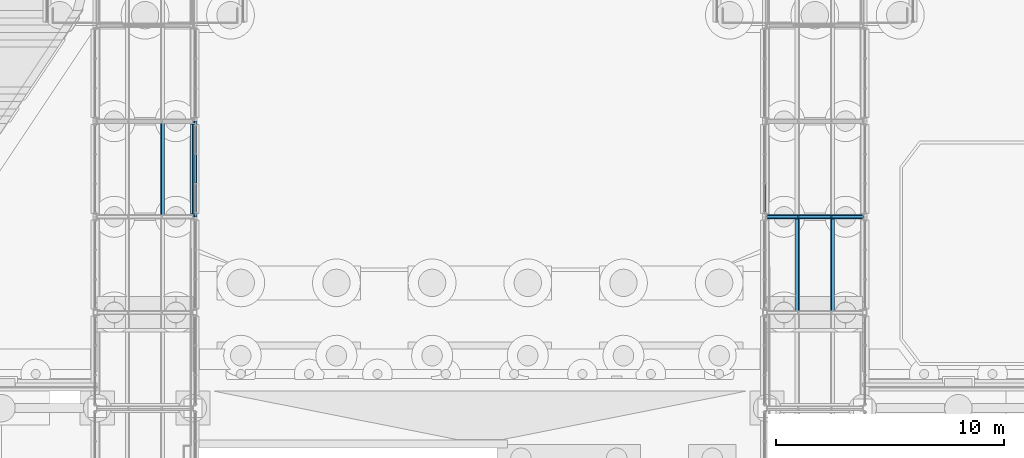
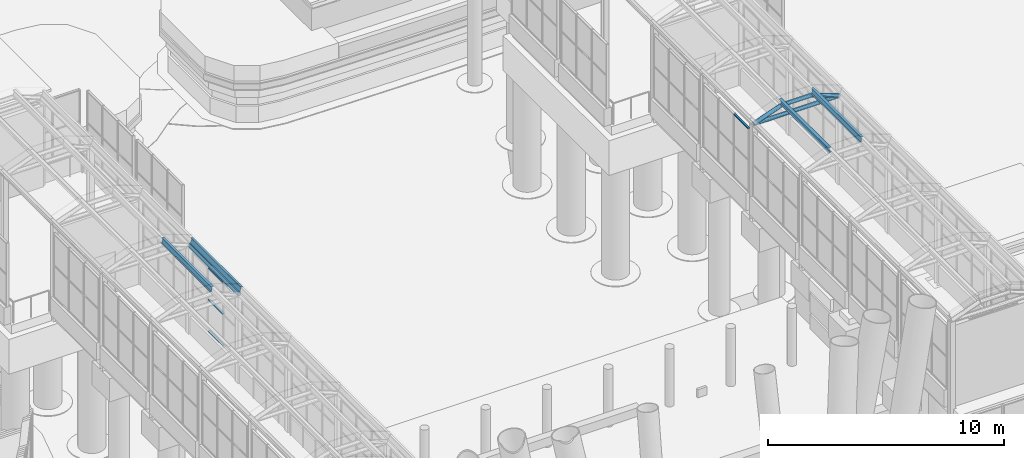
# One storey, part 67 of 222: 9 members, 4 beams, 2 elements without a shape of their own.
"""IFC4 building model written with IfcOpenShell, lengths in metres."""

from ifc_helpers import new_model, si_unit, direction, frame, origin, origin_2d, place, context, subcontext, project, spatial, rectangle, hollow_circle, i_section, extrude, material, material_profile, profile_set, type_object, element, aggregate, save


model = new_model("IFC4")

# Units and contexts
model_context = context("Model", 3, precision=1e-05, world=origin(), true_north=direction((0.0, 1.0)))
body_context = subcontext(model_context, "Body", "Model", "MODEL_VIEW")
ifc_project = project(units=[si_unit("LENGTHUNIT", "METRE"), si_unit("AREAUNIT", "SQUARE_METRE"), si_unit("VOLUMEUNIT", "CUBIC_METRE"), si_unit("PLANEANGLEUNIT", "RADIAN"), si_unit("MASSUNIT", "GRAM", prefix="KILO")], contexts=[model_context])

# Site, building, storey
site_placement = place(None, origin())
site = spatial("IfcSite", under=ifc_project, at=site_placement, CompositionType="ELEMENT")
building_placement = place(site_placement, origin())
building = spatial("IfcBuilding", under=site, at=building_placement, Name="Sava Quay Ferry Terminal", CompositionType="ELEMENT")
storey_placement = place(building_placement, origin())
storey = spatial("IfcBuildingStorey", under=building, at=storey_placement, Name="L00", CompositionType="ELEMENT", Elevation=0.0)

# Beam
ifc_material_1 = material(Name="Steel S355", Category="steel")
ifc_material_profile_1 = material_profile(ifc_material_1, hollow_circle(Radius=0.096923828125, WallThickness=0.008056640625, at=origin_2d()), Name="CHS 193.7 x 8.0")
ifc_profile_set_1 = profile_set([ifc_material_profile_1], Name="Steel S355")
beam_type_1 = type_object("IfcBeamType", Name="Gallery eave beam CHS 193.7x8", PredefinedType="BEAM", material=ifc_profile_set_1)
beam_1_placement = place(storey_placement, frame((50.39990234375, 126.0, 4.5), z_axis=(0.0, 1.0, 0.0), x_axis=(-1.0, 0.0, 0.0)))
element("IfcBeam", 1, at=beam_1_placement, inside=storey, type_object=beam_type_1, Name="Boarding gallery B1 eave beam R5", PredefinedType="BEAM", context=body_context, shape_type="SweptSolid", body=[
    extrude(hollow_circle(Radius=0.096923828125, WallThickness=0.008056640625, at=origin_2d()), origin(), (0.0, 0.0, 1.0), 4.199951171875),
])

# Members
ifc_material_2 = material(Name="Steel S355", Category="steel")
ifc_material_profile_2 = material_profile(ifc_material_2, i_section(OverallWidth=0.135009765625, OverallDepth=0.27001953125, WebThickness=0.006591796875, FlangeThickness=0.01025390625, at=origin_2d()), Name="IPE 270")
ifc_profile_set_2 = profile_set([ifc_material_profile_2], Name="Steel S355")
member_type_1 = type_object("IfcMemberType", Name="Gallery purlin IPE 270", PredefinedType="PURLIN", material=ifc_profile_set_2)
for number, where, z_axis, x_axis, name in (
    (2, (49.0703125, 126.0, 5.230712890625), (0.0, 1.0, 0.0), (-0.984807753012, 0.0, 0.173648177667), "Boarding gallery B1 purlin bay 5 V2"),
    (3, (50.479248046875, 126.0, 4.718017578125), (0.0, 1.0, 0.0), (-0.939692620786, 0.0, 0.342020143326), "Boarding gallery B1 edge purlin bay 5 V3"),
    (4, (76.9296875, 121.800048828125, 5.230712890625), (0.0, 1.0, 0.0), (-0.984807753012, 0.0, -0.173648177667), "Boarding gallery B2 purlin bay 4 V1"),
    (5, (78.47021484375, 121.800048828125, 5.230712890625), (0.0, 1.0, 0.0), (-0.984807753012, 0.0, 0.173648177667), "Boarding gallery B2 purlin bay 4 V2"),
):
    element("IfcMember", number, at=place(storey_placement, frame(where, z_axis=z_axis, x_axis=x_axis)), inside=storey, type_object=member_type_1, Name=name, PredefinedType="PURLIN", context=body_context, shape_type="SweptSolid", body=[
        extrude(i_section(OverallWidth=0.135009765625, OverallDepth=0.27001953125, WebThickness=0.006591796875, FlangeThickness=0.01025390625, at=origin_2d()), origin(), (0.0, 0.0, 1.0), 4.199951171875),
    ])

# Beams
ifc_material_3 = material(Name="Steel S355", Category="steel")
ifc_material_profile_3 = material_profile(ifc_material_3, hollow_circle(Radius=0.096923828125, WallThickness=0.008056640625, at=origin_2d()), Name="CHS 193.7 x 8.0")
ifc_profile_set_3 = profile_set([ifc_material_profile_3], Name="Steel S355")
beam_type_2 = type_object("IfcBeamType", Name="Gallery rib CHS 193.7x8", PredefinedType="BEAM", material=ifc_profile_set_3)
beam_2_placement = place(storey_placement, frame((75.60009765625, 126.0, 4.5), z_axis=(0.939710313144, 0.0, 0.341971530059), x_axis=(0.0, 1.0, 0.0)))
element("IfcBeam", 6, at=beam_2_placement, inside=storey, type_object=beam_type_2, Name="Boarding gallery B2 arch rib R4 seg 1", PredefinedType="BEAM", context=body_context, shape_type="SweptSolid", body=[
    extrude(hollow_circle(Radius=0.096923828125, WallThickness=0.008056640625, at=origin_2d()), origin(), (0.0, 0.0, 1.0), 1.45849609375),
])
beam_3_placement = place(storey_placement, frame((76.970703125, 126.0, 4.998779296875), z_axis=(1.0, 0.0, 0.0), x_axis=(0.0, 1.0, 0.0)))
element("IfcBeam", 7, at=beam_3_placement, inside=storey, type_object=beam_type_2, Name="Boarding gallery B2 arch rib R4 seg 2", PredefinedType="BEAM", context=body_context, shape_type="SweptSolid", body=[
    extrude(hollow_circle(Radius=0.096923828125, WallThickness=0.008056640625, at=origin_2d()), origin(), (0.0, 0.0, 1.0), 1.458740234375),
])
beam_4_placement = place(storey_placement, frame((78.429443359375, 126.0, 4.998779296875), z_axis=(0.939710313144, 0.0, -0.341971530059), x_axis=(0.0, 1.0, 0.0)))
element("IfcBeam", 8, at=beam_4_placement, inside=storey, type_object=beam_type_2, Name="Boarding gallery B2 arch rib R4 seg 3", PredefinedType="BEAM", context=body_context, shape_type="SweptSolid", body=[
    extrude(hollow_circle(Radius=0.096923828125, WallThickness=0.008056640625, at=origin_2d()), origin(), (0.0, 0.0, 1.0), 1.45849609375),
])

# Member
ifc_material_4 = material(Name="Steel S355", Category="steel")
ifc_material_profile_4 = material_profile(ifc_material_4, hollow_circle(Radius=0.096923828125, WallThickness=0.008056640625, at=origin_2d()), Name="CHS 193.7 x 8.0")
ifc_profile_set_4 = profile_set([ifc_material_profile_4], Name="Steel S355")
member_type_2 = type_object("IfcMemberType", Name="Gallery tie CHS 193.7x8", PredefinedType="USERDEFINED", material=ifc_profile_set_4)
member_1_placement = place(storey_placement, frame((75.60009765625, 126.0, 4.5), z_axis=(1.0, 0.0, 0.0), x_axis=(0.0, 1.0, 0.0)))
element("IfcMember", 9, at=member_1_placement, inside=storey, type_object=member_type_2, Name="Boarding gallery B2 arch tie R4", ObjectType="ARCH TIE", PredefinedType="USERDEFINED", context=body_context, shape_type="SweptSolid", body=[
    extrude(hollow_circle(Radius=0.096923828125, WallThickness=0.008056640625, at=origin_2d()), origin(), (0.0, 0.0, 1.0), 4.199951171875),
])

# Curtain wall, members
ifc_material_5 = material(Name="Aluminium and glass curtain wall, double glazed", Category="aluminium")
curtain_wall_type = type_object("IfcCurtainWallType", Name="Curtain wall CW-B gallery", PredefinedType="NOTDEFINED", material=ifc_material_5)
curtain_wall_1_placement = place(storey_placement, origin())
curtain_wall_1 = element("IfcCurtainWall", 10, at=curtain_wall_1_placement, inside=storey, type_object=curtain_wall_type, Name="Curtain wall B1-E L00 bay 5", PredefinedType="NOTDEFINED")
ifc_material_6 = material(Name="Aluminium EN AW-6063 T6", Category="aluminium")
ifc_material_profile_5 = material_profile(ifc_material_6, rectangle(XDim=0.10009765625, YDim=0.050048828125, at=origin_2d()), Name="Transom 50x100 aluminium")
ifc_profile_set_5 = profile_set([ifc_material_profile_5], Name="Aluminium EN AW-6063 T6")
member_type_3 = type_object("IfcMemberType", Name="Transom 50x100 aluminium", PredefinedType="USERDEFINED", material=ifc_profile_set_5)
member_2_placement = place(storey_placement, frame((50.5, 127.47509765625, 0.925048828125), z_axis=(0.0, 1.0, 0.0), x_axis=(-1.0, 0.0, 0.0)))
member_2 = element("IfcMember", 11, at=member_2_placement, type_object=member_type_3, Name="CW5 transom 2.1", ObjectType="TRANSOM", PredefinedType="USERDEFINED", context=body_context, shape_type="SweptSolid", body=[
    extrude(rectangle(XDim=0.10009765625, YDim=0.050048828125, at=origin_2d()), origin(), (0.0, 0.0, 1.0), 1.25),
])
member_3_placement = place(storey_placement, frame((50.5, 127.47509765625, 2.550048828125), z_axis=(0.0, 1.0, 0.0), x_axis=(-1.0, 0.0, 0.0)))
member_3 = element("IfcMember", 12, at=member_3_placement, type_object=member_type_3, Name="CW5 transom 2.2", ObjectType="TRANSOM", PredefinedType="USERDEFINED", context=body_context, shape_type="SweptSolid", body=[
    extrude(rectangle(XDim=0.10009765625, YDim=0.050048828125, at=origin_2d()), origin(), (0.0, 0.0, 1.0), 1.25),
])
member_4_placement = place(storey_placement, frame((50.5, 127.47509765625, 4.175048828125), z_axis=(0.0, 1.0, 0.0), x_axis=(-1.0, 0.0, 0.0)))
member_4 = element("IfcMember", 13, at=member_4_placement, type_object=member_type_3, Name="CW5 transom 2.3", ObjectType="TRANSOM", PredefinedType="USERDEFINED", context=body_context, shape_type="SweptSolid", body=[
    extrude(rectangle(XDim=0.10009765625, YDim=0.050048828125, at=origin_2d()), origin(), (0.0, 0.0, 1.0), 1.25),
])
aggregate(curtain_wall_1, [member_2, member_3, member_4])

# Curtain wall, member
curtain_wall_2_placement = place(storey_placement, origin())
curtain_wall_2 = element("IfcCurtainWall", 14, at=curtain_wall_2_placement, inside=storey, type_object=curtain_wall_type, Name="Curtain wall B2-W L00 bay 5", PredefinedType="NOTDEFINED")
member_5_placement = place(storey_placement, frame((75.5, 126.199951171875, 4.175048828125), z_axis=(0.0, 1.0, 0.0), x_axis=(-1.0, 0.0, 0.0)))
member_5 = element("IfcMember", 15, at=member_5_placement, type_object=member_type_3, Name="CW35 transom 1.3", ObjectType="TRANSOM", PredefinedType="USERDEFINED", context=body_context, shape_type="SweptSolid", body=[
    extrude(rectangle(XDim=0.10009765625, YDim=0.050048828125, at=origin_2d()), origin(), (0.0, 0.0, 1.0), 1.22509765625),
])
aggregate(curtain_wall_2, [member_5])

save(model, "model.ifc")
